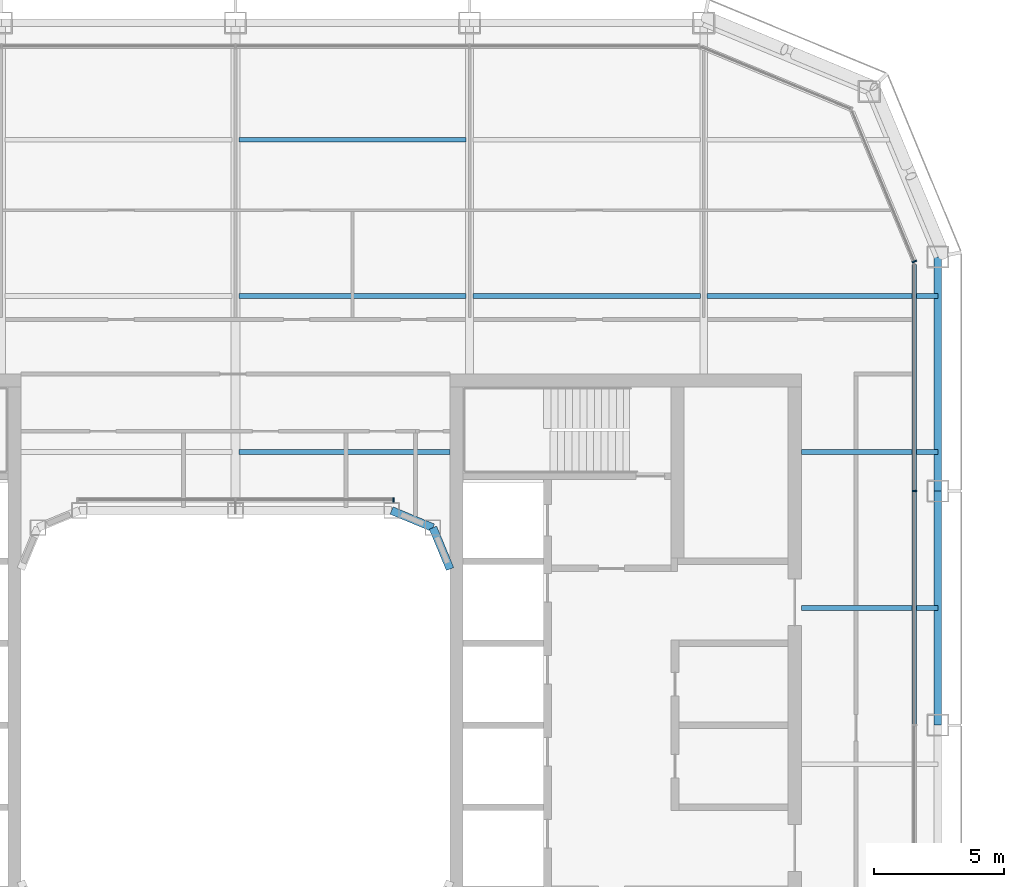
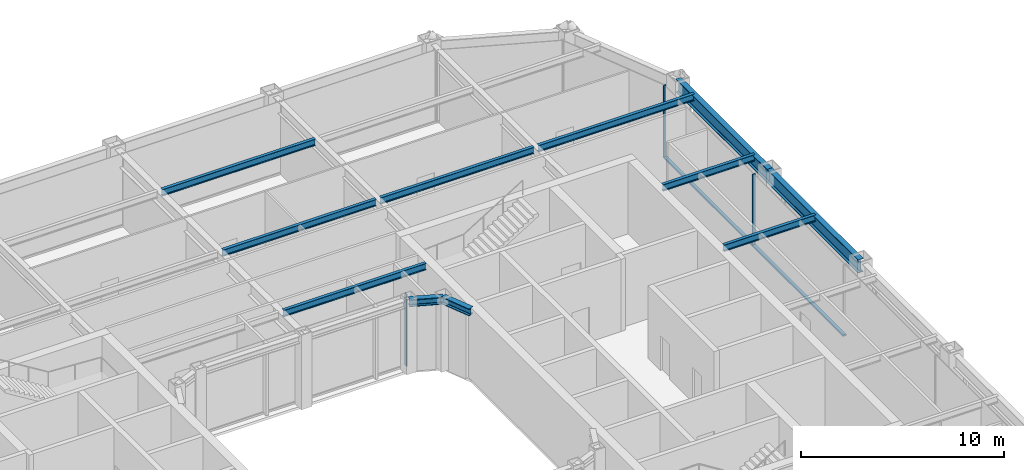
# One storey, part 9 of 22: 11 beams, 5 members, 3 elements without a shape of their own.
"""IFC4 building model written with IfcOpenShell, lengths in metres."""

from ifc_helpers import new_model, si_unit, direction, frame, origin, origin_2d, place, context, subcontext, project, spatial, rectangle, i_section, extrude, material, layer, layer_set, material_profile, profile_set, type_object, element, aggregate, save


model = new_model("IFC4")

# Units and contexts
model_context = context("Model", 3, precision=1e-05, world=origin(), true_north=direction((0.0, 1.0)))
body_context = subcontext(model_context, "Body", "Model", "MODEL_VIEW")
ifc_project = project(units=[si_unit("LENGTHUNIT", "METRE"), si_unit("AREAUNIT", "SQUARE_METRE"), si_unit("VOLUMEUNIT", "CUBIC_METRE"), si_unit("PLANEANGLEUNIT", "RADIAN"), si_unit("MASSUNIT", "GRAM", prefix="KILO")], contexts=[model_context])

# Site, building, storey
site_placement = place(None, origin())
site = spatial("IfcSite", under=ifc_project, at=site_placement, CompositionType="ELEMENT")
building_placement = place(site_placement, origin())
building = spatial("IfcBuilding", under=site, at=building_placement, Name="Siwar Civic Tower", CompositionType="ELEMENT")
storey_placement = place(building_placement, frame((0.0, 0.0, 201.699951171875)))
storey = spatial("IfcBuildingStorey", under=building, at=storey_placement, Name="L43", CompositionType="ELEMENT", Elevation=201.699951171875)

# Curtain wall, member
ifc_material_1 = material(Name="Aluminium and glass", Category="aluminium")
ifc_layer_1 = layer(ifc_material_1, 0.179931640625)
ifc_layer_set_1 = layer_set([ifc_layer_1], Name="Aluminium and glass")
curtain_wall_type_1 = type_object("IfcCurtainWallType", Name="ENV-CW-C", PredefinedType="NOTDEFINED", material=ifc_layer_set_1)
curtain_wall_1_placement = place(storey_placement, origin())
curtain_wall_1 = element("IfcCurtainWall", 1, at=curtain_wall_1_placement, inside=storey, type_object=curtain_wall_type_1, Name="Curtain wall C E", PredefinedType="NOTDEFINED")
ifc_material_2 = material(Name="Aluminium 6063-T6", Category="aluminium")
ifc_material_profile_1 = material_profile(ifc_material_2, rectangle(XDim=0.179931640625, YDim=0.06005859375, at=origin_2d()), Name="AL 180x60")
ifc_profile_set_1 = profile_set([ifc_material_profile_1], Name="Aluminium 6063-T6")
member_type_1 = type_object("IfcMemberType", Name="ENV-MULLION-C", PredefinedType="MULLION", material=ifc_profile_set_1)
member_1_placement = place(storey_placement, frame((26.10009765625, 9.0, 0.0), z_axis=(0.0, 0.0, 1.0), x_axis=(-1.0, 0.0, 0.0)))
member_1 = element("IfcMember", 2, at=member_1_placement, type_object=member_type_1, Name="Mullion C E 4", PredefinedType="MULLION", context=body_context, shape_type="SweptSolid", body=[
    extrude(rectangle(XDim=0.179931640625, YDim=0.06005859375, at=origin_2d()), origin(), (0.0, 0.0, 1.0), 4.35009765625),
])

ifc_material_3 = material(Name="Aluminium clad insulated panel", Category="aluminium")
ifc_layer_2 = layer(ifc_material_3, 0.179931640625)
ifc_layer_set_2 = layer_set([ifc_layer_2], Name="Aluminium clad insulated panel")
curtain_wall_type_2 = type_object("IfcCurtainWallType", Name="ENV-CW-CX", PredefinedType="NOTDEFINED", material=ifc_layer_set_2)
curtain_wall_2_placement = place(storey_placement, origin())
curtain_wall_2 = element("IfcCurtainWall", 3, at=curtain_wall_2_placement, inside=storey, type_object=curtain_wall_type_2, Name="Curtain wall C NE1", PredefinedType="NOTDEFINED")
member_2_placement = place(storey_placement, frame((26.10009765625, 17.821044921875, 0.0), z_axis=(0.0, 0.0, 1.0), x_axis=(-0.923879532511, -0.382683432365, 0.0)))
member_2 = element("IfcMember", 4, at=member_2_placement, type_object=member_type_1, Name="Mullion C NE1 1", PredefinedType="MULLION", context=body_context, shape_type="SweptSolid", body=[
    extrude(rectangle(XDim=0.179931640625, YDim=0.06005859375, at=origin_2d()), origin(), (0.0, 0.0, 1.0), 4.35009765625),
])
aggregate(curtain_wall_2, [member_2])

ifc_material_4 = material(Name="Aluminium and glass", Category="aluminium")
ifc_layer_3 = layer(ifc_material_4, 0.179931640625)
ifc_layer_set_3 = layer_set([ifc_layer_3], Name="Aluminium and glass")
curtain_wall_type_3 = type_object("IfcCurtainWallType", Name="ENV-CW-W", PredefinedType="NOTDEFINED", material=ifc_layer_set_3)
curtain_wall_3_placement = place(storey_placement, origin())
curtain_wall_3 = element("IfcCurtainWall", 5, at=curtain_wall_3_placement, inside=storey, type_object=curtain_wall_type_3, Name="Curtain wall W WN", PredefinedType="NOTDEFINED")
ifc_material_5 = material(Name="Aluminium 6063-T6", Category="aluminium")
ifc_material_profile_2 = material_profile(ifc_material_5, rectangle(XDim=0.179931640625, YDim=0.06005859375, at=origin_2d()), Name="AL 180x60")
ifc_profile_set_2 = profile_set([ifc_material_profile_2], Name="Aluminium 6063-T6")
member_type_2 = type_object("IfcMemberType", Name="ENV-MULLION-W", PredefinedType="MULLION", material=ifc_profile_set_2)
member_3_placement = place(storey_placement, frame((6.08154296875, 8.659912109375, 0.0), z_axis=(0.0, 0.0, 1.0), x_axis=(0.0, -1.0, 0.0)))
member_3 = element("IfcMember", 6, at=member_3_placement, type_object=member_type_2, Name="Mullion W WN 1", PredefinedType="MULLION", context=body_context, shape_type="SweptSolid", body=[
    extrude(rectangle(XDim=0.179931640625, YDim=0.06005859375, at=origin_2d()), origin(), (0.0, 0.0, 1.0), 4.35009765625),
])
aggregate(curtain_wall_3, [member_3])

# Member
ifc_material_6 = material(Name="Aluminium 6063-T6", Category="aluminium")
ifc_material_profile_3 = material_profile(ifc_material_6, rectangle(XDim=0.179931640625, YDim=0.10009765625, at=origin_2d()), Name="AL 180x100")
ifc_profile_set_3 = profile_set([ifc_material_profile_3], Name="Aluminium 6063-T6")
member_type_3 = type_object("IfcMemberType", Name="ENV-TRANSOM-C", PredefinedType="USERDEFINED", material=ifc_profile_set_3)
member_4_placement = place(storey_placement, frame((26.10009765625, 0.030029296875, 0.050048828125), z_axis=(0.0, 1.0, 0.0), x_axis=(-1.0, 0.0, 0.0)))
member_4 = element("IfcMember", 7, at=member_4_placement, type_object=member_type_3, Name="Transom C E 3", ObjectType="TRANSOM", PredefinedType="USERDEFINED", context=body_context, shape_type="SweptSolid", body=[
    extrude(rectangle(XDim=0.179931640625, YDim=0.10009765625, at=origin_2d()), origin(), (0.0, 0.0, 1.0), 8.93994140625),
])

member_5_placement = place(storey_placement, frame((26.10009765625, 9.030029296875, 0.050048828125), z_axis=(0.0, 1.0, 0.0), x_axis=(-1.0, 0.0, 0.0)))
member_5 = element("IfcMember", 8, at=member_5_placement, type_object=member_type_3, Name="Transom C E 4", ObjectType="TRANSOM", PredefinedType="USERDEFINED", context=body_context, shape_type="SweptSolid", body=[
    extrude(rectangle(XDim=0.179931640625, YDim=0.10009765625, at=origin_2d()), origin(), (0.0, 0.0, 1.0), 8.68603515625),
])

aggregate(curtain_wall_1, [member_1, member_4, member_5])

# Beams
ifc_material_7 = material(Name="Steel S355", Category="steel")
ifc_material_profile_4 = material_profile(ifc_material_7, i_section(OverallWidth=0.179931640625, OverallDepth=0.39990234375, WebThickness=0.008544921875, FlangeThickness=0.013427734375, FilletRadius=0.02099609375, at=origin_2d()), Name="IPE400")
ifc_profile_set_4 = profile_set([ifc_material_profile_4], Name="Steel S355")
beam_type_1 = type_object("IfcBeamType", Name="STR-FB-IPE400", PredefinedType="JOIST", material=ifc_profile_set_4)
beam_1_placement = place(storey_placement, frame((21.75, 4.5, 4.150146484375), z_axis=(1.0, 0.0, 0.0), x_axis=(0.0, 1.0, 0.0)))
element("IfcBeam", 9, at=beam_1_placement, inside=storey, type_object=beam_type_1, Name="L43/bm/F026", PredefinedType="JOIST", context=body_context, shape_type="SweptSolid", body=[
    extrude(i_section(OverallWidth=0.179931640625, OverallDepth=0.39990234375, WebThickness=0.008544921875, FlangeThickness=0.013427734375, FilletRadius=0.02099609375, at=origin_2d()), origin(), (0.0, 0.0, 1.0), 5.25),
])
beam_2_placement = place(storey_placement, frame((0.1298828125, 10.5, 4.150146484375), z_axis=(1.0, 0.0, 0.0), x_axis=(0.0, 1.0, 0.0)))
element("IfcBeam", 10, at=beam_2_placement, inside=storey, type_object=beam_type_1, Name="L43/bm/F029", PredefinedType="JOIST", context=body_context, shape_type="SweptSolid", body=[
    extrude(i_section(OverallWidth=0.179931640625, OverallDepth=0.39990234375, WebThickness=0.008544921875, FlangeThickness=0.013427734375, FilletRadius=0.02099609375, at=origin_2d()), origin(), (0.0, 0.0, 1.0), 8.1201171875),
])
beam_3_placement = place(storey_placement, frame((21.75, 10.5, 4.150146484375), z_axis=(1.0, 0.0, 0.0), x_axis=(0.0, 1.0, 0.0)))
element("IfcBeam", 11, at=beam_3_placement, inside=storey, type_object=beam_type_1, Name="L43/bm/F030", PredefinedType="JOIST", context=body_context, shape_type="SweptSolid", body=[
    extrude(i_section(OverallWidth=0.179931640625, OverallDepth=0.39990234375, WebThickness=0.008544921875, FlangeThickness=0.013427734375, FilletRadius=0.02099609375, at=origin_2d()), origin(), (0.0, 0.0, 1.0), 5.25),
])
for number, where, z_axis, x_axis, name in (
    (12, (0.1298828125, 16.5, 4.150146484375), (1.0, 0.0, 0.0), (0.0, 1.0, 0.0), "L43/bm/F034"),
    (13, (9.1298828125, 16.5, 4.150146484375), (1.0, 0.0, 0.0), (0.0, 1.0, 0.0), "L43/bm/F035"),
):
    element("IfcBeam", number, at=place(storey_placement, frame(where, z_axis=z_axis, x_axis=x_axis)), inside=storey, type_object=beam_type_1, Name=name, PredefinedType="JOIST", context=body_context, shape_type="SweptSolid", body=[
        extrude(i_section(OverallWidth=0.179931640625, OverallDepth=0.39990234375, WebThickness=0.008544921875, FlangeThickness=0.013427734375, FilletRadius=0.02099609375, at=origin_2d()), origin(), (0.0, 0.0, 1.0), 8.740234375),
    ])
beam_4_placement = place(storey_placement, frame((18.1298828125, 16.5, 4.150146484375), z_axis=(1.0, 0.0, 0.0), x_axis=(0.0, 1.0, 0.0)))
element("IfcBeam", 14, at=beam_4_placement, inside=storey, type_object=beam_type_1, Name="L43/bm/F036", PredefinedType="JOIST", context=body_context, shape_type="SweptSolid", body=[
    extrude(i_section(OverallWidth=0.179931640625, OverallDepth=0.39990234375, WebThickness=0.008544921875, FlangeThickness=0.013427734375, FilletRadius=0.02099609375, at=origin_2d()), origin(), (0.0, 0.0, 1.0), 8.8701171875),
])
beam_5_placement = place(storey_placement, frame((0.1298828125, 22.5, 4.150146484375), z_axis=(1.0, 0.0, 0.0), x_axis=(0.0, 1.0, 0.0)))
element("IfcBeam", 15, at=beam_5_placement, inside=storey, type_object=beam_type_1, Name="L43/bm/F040", PredefinedType="JOIST", context=body_context, shape_type="SweptSolid", body=[
    extrude(i_section(OverallWidth=0.179931640625, OverallDepth=0.39990234375, WebThickness=0.008544921875, FlangeThickness=0.013427734375, FilletRadius=0.02099609375, at=origin_2d()), origin(), (0.0, 0.0, 1.0), 8.740234375),
])
ifc_material_8 = material(Name="Steel S355", Category="steel")
ifc_material_profile_5 = material_profile(ifc_material_8, i_section(OverallWidth=0.306884765625, OverallDepth=0.431884765625, WebThickness=0.02099609375, FlangeThickness=0.0400390625, FilletRadius=0.027099609375, at=origin_2d()), Name="HEM400")
ifc_profile_set_5 = profile_set([ifc_material_profile_5], Name="Steel S355")
beam_type_2 = type_object("IfcBeamType", Name="STR-RB-HEM400", PredefinedType="BEAM", material=ifc_profile_set_5)
for number, where, z_axis, x_axis, name in (
    (16, (6.0, 8.25, 4.134033203125), (0.923901072997, -0.382631424892, 0.0), (0.382631424892, 0.923901072997, 0.0), "L43/bm/RN3"),
    (17, (7.591064453125, 7.591064453125, 4.134033203125), (0.382631424892, -0.923901072997, 0.0), (0.923901072997, 0.382631424892, 0.0), "L43/bm/RNEE"),
):
    element("IfcBeam", number, at=place(storey_placement, frame(where, z_axis=z_axis, x_axis=x_axis)), inside=storey, type_object=beam_type_2, Name=name, PredefinedType="BEAM", context=body_context, shape_type="SweptSolid", body=[
        extrude(i_section(OverallWidth=0.306884765625, OverallDepth=0.431884765625, WebThickness=0.02099609375, FlangeThickness=0.0400390625, FilletRadius=0.027099609375, at=origin_2d()), origin(), (0.0, 0.0, 1.0), 1.72216796875),
    ])
ifc_material_9 = material(Name="Steel S355", Category="steel")
ifc_material_profile_6 = material_profile(ifc_material_9, i_section(OverallWidth=0.300048828125, OverallDepth=0.800048828125, WebThickness=0.017578125, FlangeThickness=0.032958984375, FilletRadius=0.030029296875, at=origin_2d()), Name="HEB800")
ifc_profile_set_6 = profile_set([ifc_material_profile_6], Name="Steel S355")
beam_type_3 = type_object("IfcBeamType", Name="STR-SB-HEB800", PredefinedType="BEAM", material=ifc_profile_set_6)
for number, where, z_axis, x_axis, name in (
    (18, (27.0, 0.0, 3.949951171875), (0.0, 1.0, 0.0), (-1.0, 0.0, 0.0), "L43/bm/SE-2"),
    (19, (27.0, 9.0, 3.949951171875), (0.0, 1.0, 0.0), (-1.0, 0.0, 0.0), "L43/bm/SE-3"),
):
    element("IfcBeam", number, at=place(storey_placement, frame(where, z_axis=z_axis, x_axis=x_axis)), inside=storey, type_object=beam_type_3, Name=name, PredefinedType="BEAM", context=body_context, shape_type="SweptSolid", body=[
        extrude(i_section(OverallWidth=0.300048828125, OverallDepth=0.800048828125, WebThickness=0.017578125, FlangeThickness=0.032958984375, FilletRadius=0.030029296875, at=origin_2d()), origin(), (0.0, 0.0, 1.0), 9.0),
    ])

save(model, "model.ifc")
